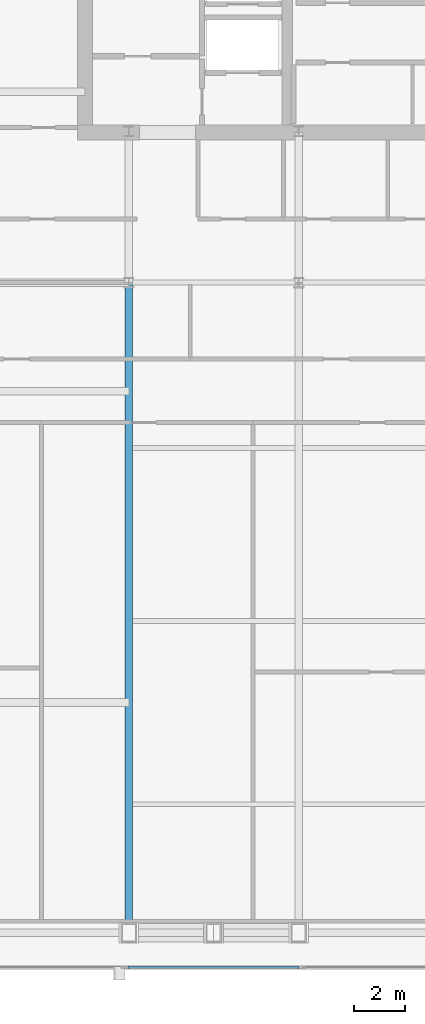
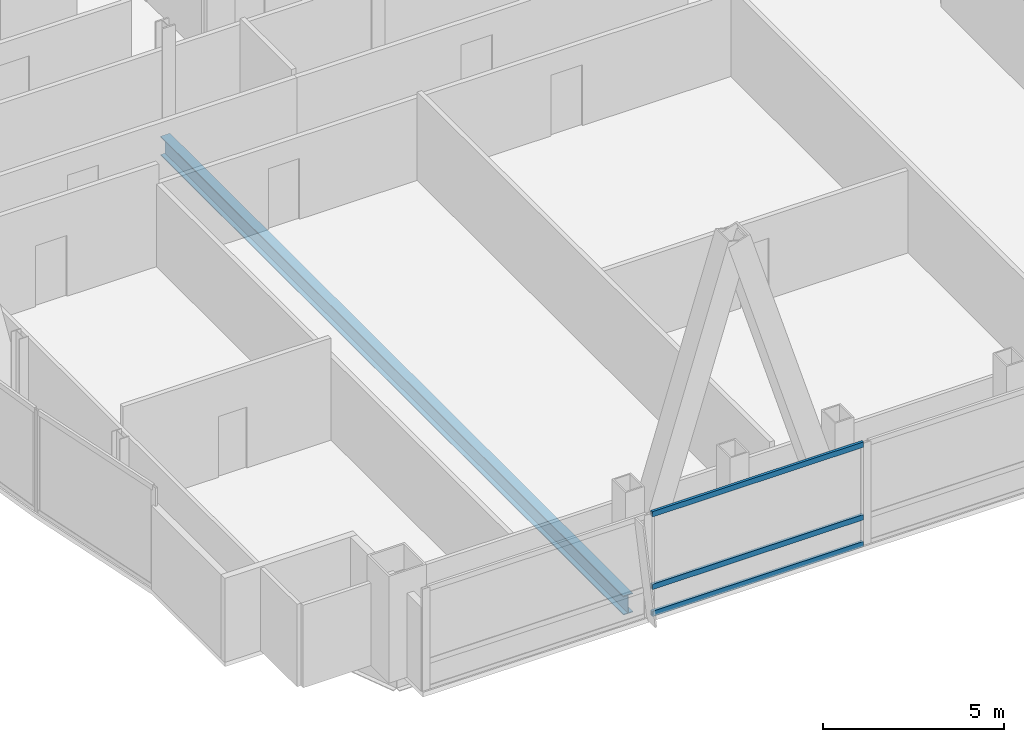
# One storey, part 7 of 32: 3 members, 1 beam, 1 element without a shape of its own.
"""IFC4 building model written with IfcOpenShell, lengths in metres."""

import ifcopenshell
import ifcopenshell.guid

model = None  # the IFC model being written
_history = None  # IfcOwnerHistory: only IFC2X3 demands one
_inside = {}  # id of a spatial element -> (the spatial element, [elements in it])
_under = {}  # id of a project, library or spatial element -> (it, [spatial elements below it])
_declared = {}  # id of a project -> (the project, [libraries it declares])
_typed = {}  # id of a type object -> (the type object, [elements of that type])
_made_of = {}  # id of a material, layer set ... -> (it, [elements and type objects made of it])


def new_model(schema):
    """Start an empty IFC model of exactly this schema.

    Asked for "IFC4X3", IfcOpenShell would pick the latest addendum, in which some entities
    have other attributes; the version numbers below select the first issue.
    IFC2X3 requires an IfcOwnerHistory on every rooted entity: one is made here for all.
    """
    global model, _history
    if schema == "IFC4X3":
        model = ifcopenshell.file(schema_version=(4, 3, 0, 0))
    else:
        model = ifcopenshell.file(schema=schema)
    _inside.clear()
    _under.clear()
    _declared.clear()
    _typed.clear()
    _made_of.clear()
    _history = None
    if model.schema == "IFC2X3":
        org = make("IfcOrganization", Name="unknown")
        user = make(
            "IfcPersonAndOrganization",
            ThePerson=make("IfcPerson", FamilyName="unknown"),
            TheOrganization=org,
        )
        app = make(
            "IfcApplication",
            ApplicationDeveloper=org,
            Version="unknown",
            ApplicationFullName="unknown",
            ApplicationIdentifier="unknown",
        )
        _history = make(
            "IfcOwnerHistory",
            OwningUser=user,
            OwningApplication=app,
            ChangeAction="ADDED",
            CreationDate=0,
        )
    return model


def make(cls, **values):
    """One entity of the class cls with the attributes given. An attribute that is None is left unset."""
    return model.create_entity(
        cls, **{name: value for name, value in values.items() if value is not None}
    )


def rooted(cls, **values):
    """An entity with a GlobalId (a new one), such as an element, a storey or a relation."""
    return make(cls, GlobalId=ifcopenshell.guid.new(), OwnerHistory=_history, **values)


def si_unit(unit_type, name, prefix=None):
    """IfcSIUnit, for example si_unit("LENGTHUNIT", "METRE", prefix="MILLI")."""
    return make("IfcSIUnit", UnitType=unit_type, Prefix=prefix, Name=name)


def assignment(units):
    """IfcUnitAssignment: the units of a project."""
    return None if units is None else make("IfcUnitAssignment", Units=units)


def point(xyz):
    """IfcCartesianPoint."""
    return None if xyz is None else make("IfcCartesianPoint", Coordinates=xyz)


def direction(xyz):
    """IfcDirection."""
    return None if xyz is None else make("IfcDirection", DirectionRatios=xyz)


def frame(location, z_axis=None, x_axis=None):
    """IfcAxis2Placement3D, a coordinate frame: its origin and axes. An axis left out is left unset."""
    return make(
        "IfcAxis2Placement3D",
        Location=point(location),
        Axis=direction(z_axis),
        RefDirection=direction(x_axis),
    )


def frame_2d(location, x_axis=None):
    """IfcAxis2Placement2D, a coordinate frame in the plane: its origin and x axis."""
    return make(
        "IfcAxis2Placement2D", Location=point(location), RefDirection=direction(x_axis)
    )


def origin():
    """The frame at (0, 0, 0) with its axes left unset."""
    return frame((0.0, 0.0, 0.0))


def origin_2d():
    """The frame at (0, 0) in the plane with its x axis left unset."""
    return frame_2d((0.0, 0.0))


def place(relative_to, where):
    """IfcLocalPlacement: puts the frame where relative to a parent placement (None: the world)."""
    return make(
        "IfcLocalPlacement", PlacementRelTo=relative_to, RelativePlacement=where
    )


def context(
    kind, dimensions, precision=None, world=None, true_north=None, identifier=None
):
    """IfcGeometricRepresentationContext, for example the 3D "Model" context."""
    return make(
        "IfcGeometricRepresentationContext",
        ContextIdentifier=identifier,
        ContextType=kind,
        CoordinateSpaceDimension=dimensions,
        Precision=precision,
        WorldCoordinateSystem=world,
        TrueNorth=true_north,
    )


def subcontext(parent, identifier, kind, view, scale=None):
    """IfcGeometricRepresentationSubContext, for example "Body" below "Model"."""
    return make(
        "IfcGeometricRepresentationSubContext",
        ContextIdentifier=identifier,
        ContextType=kind,
        ParentContext=parent,
        TargetScale=scale,
        TargetView=view,
    )


def project(units=None, contexts=None):
    """IfcProject with its units and contexts."""
    return rooted(
        "IfcProject",
        Name="project",
        RepresentationContexts=contexts,
        UnitsInContext=assignment(units),
    )


def spatial(cls, under=None, at=None, **own):
    """A site, building, storey or space (cls), placed at a placement, below another one or the project."""
    s = rooted(cls, ObjectPlacement=at, **own)
    if under is not None:
        _under.setdefault(under.id(), (under, []))[1].append(s)
    return s


def profile(cls, at=None, kind="AREA", **sizes):
    """A parametric profile (cls). Its sizes go by their IFC names, for example OverallWidth=200.0."""
    return make(cls, ProfileType=kind, Position=at, **sizes)


def hollow_rectangle(**sizes):
    """IfcRectangleHollowProfileDef."""
    return profile("IfcRectangleHollowProfileDef", **sizes)


def i_section(**sizes):
    """IfcIShapeProfileDef."""
    return profile("IfcIShapeProfileDef", **sizes)


def extrude(swept, where, along, depth):
    """IfcExtrudedAreaSolid: the profile swept, set in the frame where, extruded along a direction by depth."""
    return make(
        "IfcExtrudedAreaSolid",
        SweptArea=swept,
        Position=where,
        ExtrudedDirection=direction(along),
        Depth=depth,
    )


def shape(context_of_items, identifier, shape_type, items):
    """IfcShapeRepresentation: the items that make up one representation, for example the "Body"."""
    return make(
        "IfcShapeRepresentation",
        ContextOfItems=context_of_items,
        RepresentationIdentifier=identifier,
        RepresentationType=shape_type,
        Items=items,
    )


def material(Name=None, Category=None):
    """IfcMaterial."""
    return make("IfcMaterial", Name=Name, Category=Category)


def material_profile(
    of_material, cross_section, Name=None, Category=None, Priority=None
):
    """IfcMaterialProfile: a cross section and its material."""
    return make(
        "IfcMaterialProfile",
        Name=Name,
        Material=of_material,
        Profile=cross_section,
        Priority=Priority,
        Category=Category,
    )


def profile_set(profiles, Name=None, composite=None):
    """IfcMaterialProfileSet."""
    return make(
        "IfcMaterialProfileSet",
        Name=Name,
        MaterialProfiles=profiles,
        CompositeProfile=composite,
    )


def made_of(thing, what):
    """Note that an element or type object is made of a material, layer set ...; save() writes the relation."""
    if what is not None:
        _made_of.setdefault(what.id(), (what, []))[1].append(thing)
    return thing


def type_object(cls, material=None, **own):
    """A type object (cls), such as IfcWallType, which elements share."""
    return made_of(rooted(cls, **own), material)


def element(
    cls,
    number,
    at=None,
    inside=None,
    cuts=None,
    type_object=None,
    material=None,
    context=None,
    identifier="Body",
    shape_type=None,
    held_by="IfcProductDefinitionShape",
    body=None,
    shapes=None,
    **own,
):
    """One element of the class cls, such as IfcWall. Its Tag is "e" and its number.

    at: its placement. inside: the storey or other place that contains it. cuts: it is an
    opening in that element (IfcRelVoidsElement). A single representation is given by context,
    identifier, shape_type and body (its items); several are given by shapes. held_by: the class
    of the entity that holds the representations. save() writes the other relations.
    """
    e = rooted(cls, Tag="e%d" % number, ObjectPlacement=at, **own)
    if body is not None:
        shapes = [shape(context, identifier, shape_type, body)]
    if shapes is not None:
        e.Representation = make(held_by, Representations=shapes)
    if inside is not None:
        _inside.setdefault(inside.id(), (inside, []))[1].append(e)
    if cuts is not None:
        rooted(
            "IfcRelVoidsElement", RelatingBuildingElement=cuts, RelatedOpeningElement=e
        )
    if type_object is not None:
        _typed.setdefault(type_object.id(), (type_object, []))[1].append(e)
    return made_of(e, material)


def aggregate(whole, parts):
    """IfcRelAggregates: a whole, such as a stair, and the parts it consists of."""
    return rooted("IfcRelAggregates", RelatingObject=whole, RelatedObjects=parts)


def save(model, path):
    """Write the relations noted so far, then the file.

    IfcRelAggregates (storeys below a building ...), IfcRelContainedInSpatialStructure (elements
    in a storey), IfcRelDefinesByType, IfcRelAssociatesMaterial and IfcRelDeclares: one each for
    every whole, place, type object, material and project.
    """
    for whole, parts in _under.values():
        aggregate(whole, parts)
    for where, things in _inside.values():
        rooted(
            "IfcRelContainedInSpatialStructure",
            RelatedElements=things,
            RelatingStructure=where,
        )
    for kind, things in _typed.values():
        rooted("IfcRelDefinesByType", RelatedObjects=things, RelatingType=kind)
    for what, things in _made_of.values():
        rooted("IfcRelAssociatesMaterial", RelatedObjects=things, RelatingMaterial=what)
    for by, libraries in _declared.values():
        rooted("IfcRelDeclares", RelatingContext=by, RelatedDefinitions=libraries)
    model.write(path)


model = new_model("IFC4")

# Units and contexts
model_context = context("Model", 3, precision=1e-05, world=origin(), true_north=direction((0.0, 1.0)))
body_context = subcontext(model_context, "Body", "Model", "MODEL_VIEW")
ifc_project = project(units=[si_unit("LENGTHUNIT", "METRE"), si_unit("AREAUNIT", "SQUARE_METRE"), si_unit("VOLUMEUNIT", "CUBIC_METRE"), si_unit("PLANEANGLEUNIT", "RADIAN"), si_unit("MASSUNIT", "GRAM", prefix="KILO")], contexts=[model_context])

# Site, building, storey
site_placement = place(None, origin())
site = spatial("IfcSite", under=ifc_project, at=site_placement, CompositionType="ELEMENT")
building_placement = place(site_placement, origin())
building = spatial("IfcBuilding", under=site, at=building_placement, Name="Khoronbel Lancet Exchange", CompositionType="ELEMENT")
storey_placement = place(building_placement, frame((0.0, 0.0, 221.0)))
storey = spatial("IfcBuildingStorey", under=building, at=storey_placement, Name="L56", CompositionType="ELEMENT", Elevation=221.0)

# Beam
ifc_material_1 = material(Name="Steel S355", Category="steel")
ifc_material_profile_1 = material_profile(ifc_material_1, i_section(OverallWidth=0.300048828125, OverallDepth=0.64990234375, WebThickness=0.01611328125, FlangeThickness=0.031005859375, at=origin_2d()), Name="HEB 650")
ifc_profile_set_1 = profile_set([ifc_material_profile_1], Name="Steel S355")
beam_type = type_object("IfcBeamType", Name="BM-BG4", PredefinedType="BEAM", material=ifc_profile_set_1)
beam_placement = place(storey_placement, frame((18.22509765625, 10.14990234375, -0.485107421875), z_axis=(0.0, 1.0, 0.0), x_axis=(-1.0, 0.0, 0.0)))
element("IfcBeam", 1, at=beam_placement, inside=storey, type_object=beam_type, Name="Level L56 south primary girder GS1", PredefinedType="BEAM", context=body_context, shape_type="SweptSolid", body=[
    extrude(i_section(OverallWidth=0.300048828125, OverallDepth=0.64990234375, WebThickness=0.01611328125, FlangeThickness=0.031005859375, at=origin_2d()), origin(), (0.0, 0.0, 1.0), 25.550048828125),
])

# Curtain wall, members
ifc_material_2 = material(Name="Low-E Solar Control Insulating Glass", Category="glass")
curtain_wall_type = type_object("IfcCurtainWallType", Name="CW-3", PredefinedType="NOTDEFINED", material=ifc_material_2)
curtain_wall_placement = place(storey_placement, origin())
curtain_wall = element("IfcCurtainWall", 2, at=curtain_wall_placement, inside=storey, type_object=curtain_wall_type, Name="Unitised curtain wall CW-L56-SWB", PredefinedType="NOTDEFINED")
ifc_material_3 = material(Name="Bronze-Anodised Aluminium 6063-T6", Category="aluminium")
ifc_material_profile_2 = material_profile(ifc_material_3, hollow_rectangle(XDim=0.0849609375, YDim=0.179931640625, WallThickness=0.0048828125, at=origin_2d()), Name="ALU TRANSOM 85x180")
ifc_profile_set_2 = profile_set([ifc_material_profile_2], Name="Bronze-Anodised Aluminium 6063-T6")
member_type = type_object("IfcMemberType", Name="MEM-CWT1", PredefinedType="USERDEFINED", material=ifc_profile_set_2)
member_1_placement = place(storey_placement, frame((18.18505859375, 8.7900390625, 0.04248046875), z_axis=(1.0, 0.0, 0.0), x_axis=(0.0, 1.0, 0.0)))
member_1 = element("IfcMember", 3, at=member_1_placement, type_object=member_type, Name="CW3 transom 1.1", ObjectType="TRANSOM", PredefinedType="USERDEFINED", context=body_context, shape_type="SweptSolid", body=[
    extrude(hollow_rectangle(XDim=0.0849609375, YDim=0.179931640625, WallThickness=0.0048828125, at=origin_2d()), origin(), (0.0, 0.0, 1.0), 6.72998046875),
])
member_2_placement = place(storey_placement, frame((18.18505859375, 8.7900390625, 0.949951171875), z_axis=(1.0, 0.0, 0.0), x_axis=(0.0, 1.0, 0.0)))
member_2 = element("IfcMember", 4, at=member_2_placement, type_object=member_type, Name="CW3 transom 1.2", ObjectType="TRANSOM", PredefinedType="USERDEFINED", context=body_context, shape_type="SweptSolid", body=[
    extrude(hollow_rectangle(XDim=0.0849609375, YDim=0.179931640625, WallThickness=0.0048828125, at=origin_2d()), origin(), (0.0, 0.0, 1.0), 6.72998046875),
])
member_3_placement = place(storey_placement, frame((18.18505859375, 8.7900390625, 3.3974609375), z_axis=(1.0, 0.0, 0.0), x_axis=(0.0, 1.0, 0.0)))
member_3 = element("IfcMember", 5, at=member_3_placement, type_object=member_type, Name="CW3 transom 1.3", ObjectType="TRANSOM", PredefinedType="USERDEFINED", context=body_context, shape_type="SweptSolid", body=[
    extrude(hollow_rectangle(XDim=0.0849609375, YDim=0.179931640625, WallThickness=0.0048828125, at=origin_2d()), origin(), (0.0, 0.0, 1.0), 6.72998046875),
])
aggregate(curtain_wall, [member_1, member_2, member_3])

save(model, "model.ifc")
